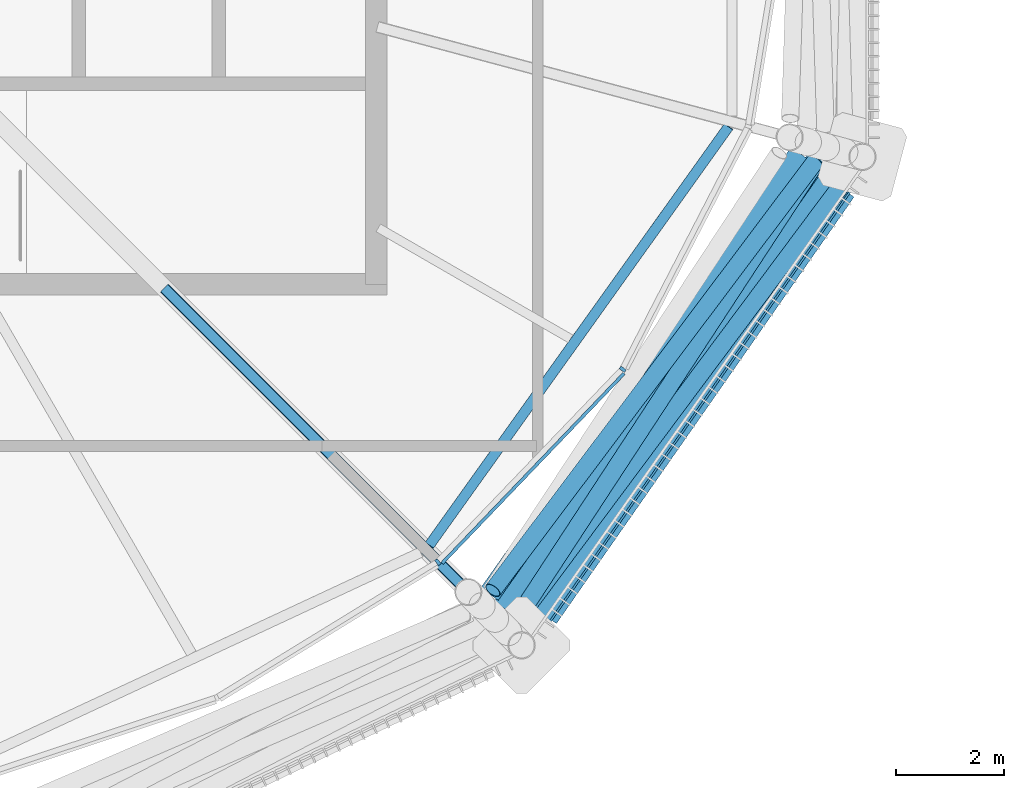
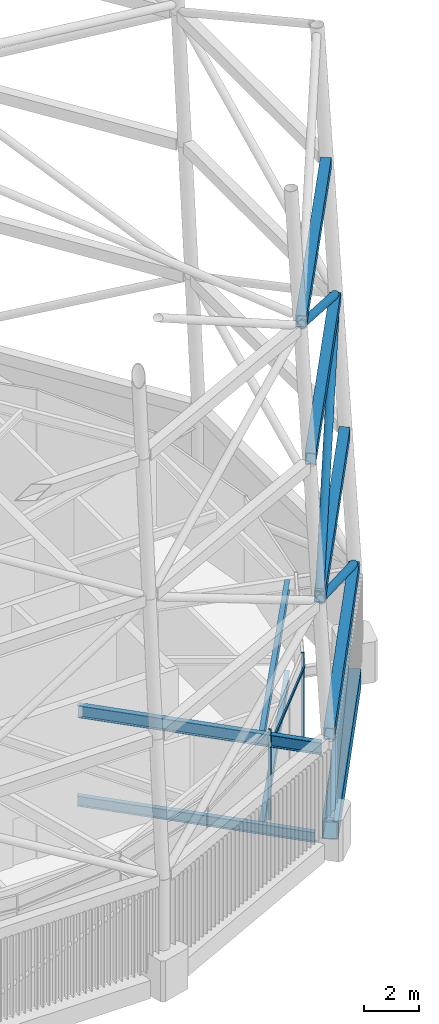
# One storey, part 19 of 71: 9 beams, 7 members, 1 element without a shape of its own.
"""IFC4 building model written with IfcOpenShell, lengths in metres."""

from ifc_helpers import new_model, si_unit, direction, frame, origin, origin_2d, place, context, subcontext, project, spatial, rectangle, hollow_rectangle, hollow_circle, i_section, extrude, material, material_profile, profile_set, type_object, element, aggregate, save


model = new_model("IFC4")

# Units and contexts
model_context = context("Model", 3, precision=1e-05, world=origin(), true_north=direction((0.0, 1.0)))
body_context = subcontext(model_context, "Body", "Model", "MODEL_VIEW")
ifc_project = project(units=[si_unit("LENGTHUNIT", "METRE"), si_unit("AREAUNIT", "SQUARE_METRE"), si_unit("VOLUMEUNIT", "CUBIC_METRE"), si_unit("PLANEANGLEUNIT", "RADIAN"), si_unit("MASSUNIT", "GRAM", prefix="KILO")], contexts=[model_context])

# Site, building, storey
site_placement = place(None, origin())
site = spatial("IfcSite", under=ifc_project, at=site_placement, CompositionType="ELEMENT")
building_placement = place(site_placement, origin())
building = spatial("IfcBuilding", under=site, at=building_placement, Name="Rimbun Link Towers", CompositionType="ELEMENT")
storey_placement = place(building_placement, frame((0.0, 0.0, 267.60009765625)))
storey = spatial("IfcBuildingStorey", under=building, at=storey_placement, Name="L65", CompositionType="ELEMENT", Elevation=267.60009765625)

# Curtain wall, members
ifc_material_1 = material(Name="Aluminium 6063-T6 louvre wall", Category="aluminium")
curtain_wall_type = type_object("IfcCurtainWallType", Name="CW6 plant floor louvre wall", PredefinedType="NOTDEFINED", material=ifc_material_1)
curtain_wall_placement = place(storey_placement, origin())
curtain_wall = element("IfcCurtainWall", 1, at=curtain_wall_placement, inside=storey, type_object=curtain_wall_type, Name="CW6 L65 T1", PredefinedType="NOTDEFINED")
ifc_material_2 = material(Name="Aluminium 6063-T6", Category="aluminium")
ifc_material_profile_1 = material_profile(ifc_material_2, rectangle(XDim=0.1201171875, YDim=0.06005859375, at=origin_2d()), Name="MULLION 60X120")
ifc_profile_set_1 = profile_set([ifc_material_profile_1], Name="Aluminium 6063-T6")
member_type_1 = type_object("IfcMemberType", Name="CW6 mullion 60X120", PredefinedType="MULLION", material=ifc_profile_set_1)
member_1_placement = place(storey_placement, frame((-18.602294921875, -13.15673828125, 0.0), z_axis=(0.0, 0.0, 1.0), x_axis=(0.627674181492, -0.778476153706, 0.0)))
member_1 = element("IfcMember", 2, at=member_1_placement, type_object=member_type_1, Name="CW6 mullion", PredefinedType="MULLION", context=body_context, shape_type="SweptSolid", body=[
    extrude(rectangle(XDim=0.1201171875, YDim=0.06005859375, at=origin_2d()), origin(), (0.0, 0.0, 1.0), 4.0),
])
member_2_placement = place(storey_placement, frame((-15.171630859375, -9.578369140625, 0.0), z_axis=(0.0, 0.0, 1.0), x_axis=(0.813347238366, -0.581778540204, 0.0)))
member_2 = element("IfcMember", 3, at=member_2_placement, type_object=member_type_1, Name="CW6 mullion", PredefinedType="MULLION", context=body_context, shape_type="SweptSolid", body=[
    extrude(rectangle(XDim=0.1201171875, YDim=0.06005859375, at=origin_2d()), origin(), (0.0, 0.0, 1.0), 4.0),
])
ifc_material_3 = material(Name="Aluminium 6063-T6", Category="aluminium")
ifc_material_profile_2 = material_profile(ifc_material_3, rectangle(XDim=0.06005859375, YDim=0.1201171875, at=origin_2d()), Name="TRANSOM 60X120")
ifc_profile_set_2 = profile_set([ifc_material_profile_2], Name="Aluminium 6063-T6")
member_type_2 = type_object("IfcMemberType", Name="CW6 transom 60X120", PredefinedType="USERDEFINED", material=ifc_profile_set_2)
member_3_placement = place(storey_placement, frame((-15.147216796875, -9.655029296875, 3.39990234375), z_axis=(-0.692070465615, -0.721829945779, 0.0), x_axis=(0.721829945779, -0.692070465615, 0.0)))
member_3 = element("IfcMember", 4, at=member_3_placement, type_object=member_type_2, Name="CW6 transom", ObjectType="TRANSOM", PredefinedType="USERDEFINED", context=body_context, shape_type="SweptSolid", body=[
    extrude(rectangle(XDim=0.06005859375, YDim=0.1201171875, at=origin_2d()), origin(), (0.0, 0.0, 1.0), 4.88134765625),
])
aggregate(curtain_wall, [member_1, member_2, member_3])

# Members
ifc_material_4 = material(Name="Steel S355J2H", Category="steel")
ifc_material_profile_3 = material_profile(ifc_material_4, hollow_circle(Radius=0.161865234375, WallThickness=0.011962890625, at=origin_2d()), Name="Crown frame brace CHS 324x12")
ifc_profile_set_3 = profile_set([ifc_material_profile_3], Name="Steel S355J2H")
member_type_3 = type_object("IfcMemberType", Name="Crown frame brace CHS 324x12", PredefinedType="BRACE", material=ifc_profile_set_3)
member_4_placement = place(storey_placement, frame((-16.833740234375, -14.392578125, 0.135986328125), z_axis=(0.53806035531, 0.771194589931, 0.340220455741), x_axis=(-0.820118162204, 0.572194197824, 0.0)))
element("IfcMember", 5, at=member_4_placement, inside=storey, type_object=member_type_3, Name="CROWN FRAME brace T1 1-10", PredefinedType="BRACE", context=body_context, shape_type="SweptSolid", body=[
    extrude(hollow_circle(Radius=0.161865234375, WallThickness=0.011962890625, at=origin_2d()), origin(), (0.0, 0.0, 1.0), 10.95703125),
])
member_5_placement = place(storey_placement, frame((-10.932861328125, -5.915771484375, 4.19140625), z_axis=(-0.524618118417, -0.703889527023, 0.478868837549), x_axis=(0.801800186242, -0.597592219949, 0.0)))
element("IfcMember", 6, at=member_5_placement, inside=storey, type_object=member_type_3, Name="CROWN FRAME brace T1 2-10", PredefinedType="BRACE", context=body_context, shape_type="SweptSolid", body=[
    extrude(hollow_circle(Radius=0.161865234375, WallThickness=0.011962890625, at=origin_2d()), origin(), (0.0, 0.0, 1.0), 11.7294921875),
])
member_6_placement = place(storey_placement, frame((-17.10498046875, -14.161376953125, 10.19482421875), z_axis=(0.478666992145, 0.730556834472, 0.486995505357), x_axis=(-0.836447321938, 0.548047331553, 0.0)))
element("IfcMember", 7, at=member_6_placement, inside=storey, type_object=member_type_3, Name="CROWN FRAME brace T1 3-10", PredefinedType="BRACE", context=body_context, shape_type="SweptSolid", body=[
    extrude(hollow_circle(Radius=0.161865234375, WallThickness=0.011962890625, at=origin_2d()), origin(), (0.0, 0.0, 1.0), 11.520263671875),
])
member_7_placement = place(storey_placement, frame((-11.6083984375, -5.7314453125, 16.1962890625), z_axis=(-0.523304623767, -0.696327936105, 0.4912022762), x_axis=(0.799416228212, -0.600777574541, 0.0)))
element("IfcMember", 8, at=member_7_placement, inside=storey, type_object=member_type_3, Name="CROWN FRAME brace T1 4-10", PredefinedType="BRACE", context=body_context, shape_type="SweptSolid", body=[
    extrude(hollow_circle(Radius=0.161865234375, WallThickness=0.011962890625, at=origin_2d()), origin(), (0.0, 0.0, 1.0), 11.415283203125),
])

# Beams
ifc_material_5 = material(Name="Steel S355J2", Category="steel")
ifc_material_profile_4 = material_profile(ifc_material_5, hollow_rectangle(XDim=0.39990234375, YDim=0.5, WallThickness=0.02001953125, at=origin_2d()), Name="Crown frame ring beam BOX 400x500x20")
ifc_profile_set_4 = profile_set([ifc_material_profile_4], Name="Steel S355J2")
beam_type_1 = type_object("IfcBeamType", Name="Crown frame ring beam BOX 400x500x20", PredefinedType="BEAM", material=ifc_profile_set_4)
beam_1_placement = place(storey_placement, frame((-16.903564453125, -14.492919921875, 4.0), z_axis=(0.572181596024, 0.820126954301, 0.0), x_axis=(-0.820126954301, 0.572181596024, 0.0)))
element("IfcBeam", 9, at=beam_1_placement, inside=storey, type_object=beam_type_1, Name="CROWN FRAME ring beam T1 1-10", PredefinedType="BEAM", context=body_context, shape_type="SweptSolid", body=[
    extrude(hollow_rectangle(XDim=0.39990234375, YDim=0.5, WallThickness=0.02001953125, at=origin_2d()), origin(), (0.0, 0.0, 1.0), 10.547607421875),
])
beam_2_placement = place(storey_placement, frame((-17.15087890625, -14.24560546875, 10.0), z_axis=(0.573356446444, 0.819306038865, 0.0), x_axis=(-0.819306038865, 0.573356446444, 0.0)))
element("IfcBeam", 10, at=beam_2_placement, inside=storey, type_object=beam_type_1, Name="CROWN FRAME ring beam T1 2-10", PredefinedType="BEAM", context=body_context, shape_type="SweptSolid", body=[
    extrude(hollow_rectangle(XDim=0.39990234375, YDim=0.5, WallThickness=0.02001953125, at=origin_2d()), origin(), (0.0, 0.0, 1.0), 10.3671875),
])
beam_3_placement = place(storey_placement, frame((-17.39794921875, -13.998291015625, 16.0), z_axis=(0.574571673852, 0.81845426971, 0.0), x_axis=(-0.81845426971, 0.574571673852, 0.0)))
element("IfcBeam", 11, at=beam_3_placement, inside=storey, type_object=beam_type_1, Name="CROWN FRAME ring beam T1 3-10", PredefinedType="BEAM", context=body_context, shape_type="SweptSolid", body=[
    extrude(hollow_rectangle(XDim=0.39990234375, YDim=0.5, WallThickness=0.02001953125, at=origin_2d()), origin(), (0.0, 0.0, 1.0), 10.186767578125),
])
beam_4_placement = place(storey_placement, frame((-17.64501953125, -13.7509765625, 22.0), z_axis=(0.575796767289, 0.817592858811, 0.0), x_axis=(-0.817592858811, 0.575796767289, 0.0)))
element("IfcBeam", 12, at=beam_4_placement, inside=storey, type_object=beam_type_1, Name="CROWN FRAME ring beam T1 4-10", PredefinedType="BEAM", context=body_context, shape_type="SweptSolid", body=[
    extrude(hollow_rectangle(XDim=0.39990234375, YDim=0.5, WallThickness=0.02001953125, at=origin_2d()), origin(), (0.0, 0.0, 1.0), 10.006103515625),
])
ifc_material_6 = material(Name="Steel S355J2", Category="steel")
ifc_material_profile_5 = material_profile(ifc_material_6, hollow_rectangle(XDim=0.60009765625, YDim=0.800048828125, WallThickness=0.0400390625, at=origin_2d()), Name="Exoskeleton ring girder BOX 600x800x40")
ifc_profile_set_5 = profile_set([ifc_material_profile_5], Name="Steel S355J2")
beam_type_2 = type_object("IfcBeamType", Name="Exoskeleton ring girder BOX 600x800x40", PredefinedType="BEAM", material=ifc_profile_set_5)
beam_5_placement = place(storey_placement, frame((-16.6484375, -14.126953125, -0.56005859375), z_axis=(0.57219741623, 0.820115916722, 0.0), x_axis=(-0.820115916722, 0.57219741623, 0.0)))
element("IfcBeam", 13, at=beam_5_placement, inside=storey, type_object=beam_type_2, Name="Exoskeleton ring girder L65 10", PredefinedType="BEAM", context=body_context, shape_type="SweptSolid", body=[
    extrude(hollow_rectangle(XDim=0.60009765625, YDim=0.800048828125, WallThickness=0.0400390625, at=origin_2d()), origin(), (0.0, 0.0, 1.0), 9.655517578125),
])
ifc_material_7 = material(Name="Steel S355J2", Category="steel")
ifc_material_profile_6 = material_profile(ifc_material_7, i_section(OverallWidth=0.18994140625, OverallDepth=0.453369140625, WebThickness=0.008544921875, FlangeThickness=0.0126953125, at=origin_2d()), Name="UB 457x191x67")
ifc_profile_set_6 = profile_set([ifc_material_profile_6], Name="Steel S355J2")
beam_type_3 = type_object("IfcBeamType", Name="UB 457x191x67", PredefinedType="BEAM", material=ifc_profile_set_6)
beam_6_placement = place(storey_placement, frame((-23.68212890625, -8.06787109375, -0.4267578125), z_axis=(0.707106781187, -0.707106781187, 0.0), x_axis=(0.707106781187, 0.707106781187, 0.0)))
element("IfcBeam", 14, at=beam_6_placement, inside=storey, type_object=beam_type_3, Name="Radial beam T1 L65 21", PredefinedType="BEAM", context=body_context, shape_type="SweptSolid", body=[
    extrude(i_section(OverallWidth=0.18994140625, OverallDepth=0.453369140625, WebThickness=0.008544921875, FlangeThickness=0.0126953125, at=origin_2d()), origin(), (0.0, 0.0, 1.0), 8.880615234375),
])
beam_7_placement = place(storey_placement, frame((-18.76513671875, -12.84912109375, -0.4267578125), z_axis=(0.58156172286, 0.813502281806, 0.0), x_axis=(-0.813502281806, 0.58156172286, 0.0)))
element("IfcBeam", 15, at=beam_7_placement, inside=storey, type_object=beam_type_3, Name="Edge beam T1 L65 21-23", PredefinedType="BEAM", context=body_context, shape_type="SweptSolid", body=[
    extrude(i_section(OverallWidth=0.18994140625, OverallDepth=0.453369140625, WebThickness=0.008544921875, FlangeThickness=0.0126953125, at=origin_2d()), origin(), (0.0, 0.0, 1.0), 9.56396484375),
])
beam_8_placement = place(storey_placement, frame((-18.759521484375, -12.84130859375, 3.5732421875), z_axis=(0.581576914607, 0.813491421219, 0.0), x_axis=(-0.813491421219, 0.581576914607, 0.0)))
element("IfcBeam", 16, at=beam_8_placement, inside=storey, type_object=beam_type_3, Name="Edge beam T1 L65 21-23", PredefinedType="BEAM", context=body_context, shape_type="SweptSolid", body=[
    extrude(i_section(OverallWidth=0.18994140625, OverallDepth=0.453369140625, WebThickness=0.008544921875, FlangeThickness=0.0126953125, at=origin_2d()), origin(), (0.0, 0.0, 1.0), 9.5439453125),
])
ifc_material_8 = material(Name="Steel S355J2", Category="steel")
ifc_material_profile_7 = material_profile(ifc_material_8, i_section(OverallWidth=0.209228515625, OverallDepth=0.533203125, WebThickness=0.010009765625, FlangeThickness=0.015625, at=origin_2d()), Name="UB 533x210x92")
ifc_profile_set_7 = profile_set([ifc_material_profile_7], Name="Steel S355J2")
beam_type_4 = type_object("IfcBeamType", Name="UB 533x210x92", PredefinedType="BEAM", material=ifc_profile_set_7)
beam_9_placement = place(storey_placement, frame((-23.67529296875, -8.07470703125, 3.533447265625), z_axis=(0.707106781187, -0.707106781187, 0.0), x_axis=(0.707106781187, 0.707106781187, 0.0)))
element("IfcBeam", 17, at=beam_9_placement, inside=storey, type_object=beam_type_4, Name="Radial beam T1 L65 21", PredefinedType="BEAM", context=body_context, shape_type="SweptSolid", body=[
    extrude(i_section(OverallWidth=0.209228515625, OverallDepth=0.533203125, WebThickness=0.010009765625, FlangeThickness=0.015625, at=origin_2d()), origin(), (0.0, 0.0, 1.0), 9.111328125),
])

save(model, "model.ifc")
